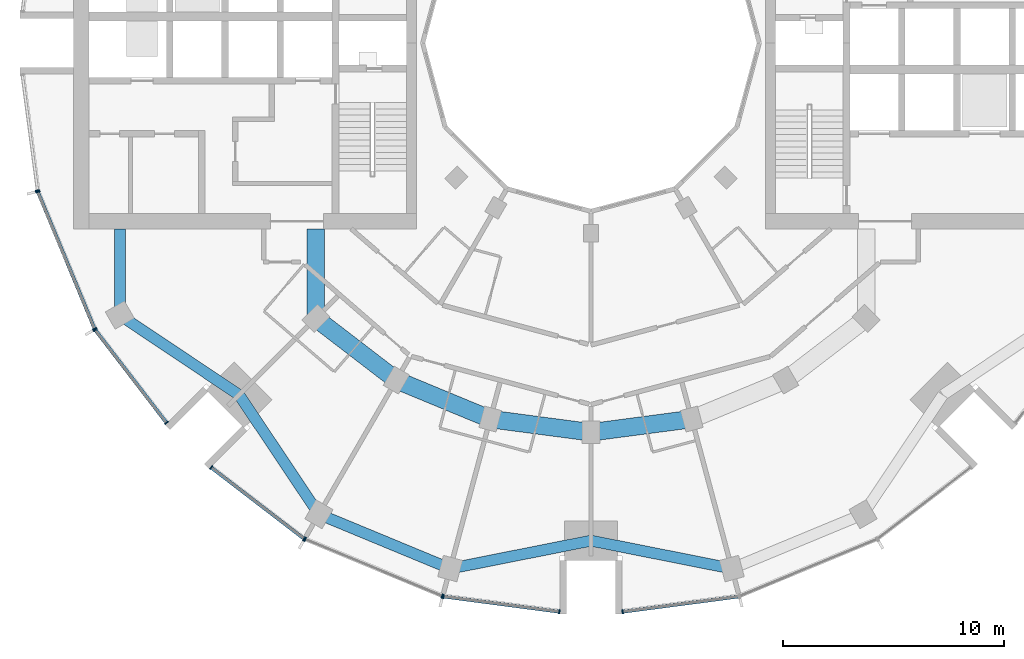
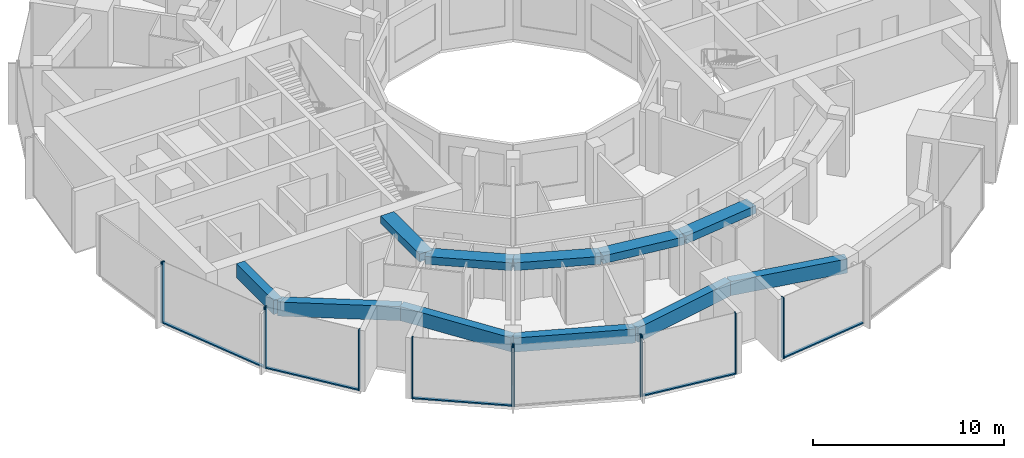
# One storey, part 2 of 15: 17 members, 11 beams, 7 elements without a shape of their own.
"""IFC4 building model written with IfcOpenShell, lengths in metres."""

from ifc_helpers import new_model, si_unit, direction, frame, origin, origin_2d, place, context, subcontext, project, spatial, rectangle, extrude, material, layer, layer_set, material_profile, profile_set, type_object, element, aggregate, save


model = new_model("IFC4")

# Units and contexts
model_context = context("Model", 3, precision=1e-05, world=origin(), true_north=direction((0.0, 1.0)))
body_context = subcontext(model_context, "Body", "Model", "MODEL_VIEW")
ifc_project = project(units=[si_unit("LENGTHUNIT", "METRE"), si_unit("AREAUNIT", "SQUARE_METRE"), si_unit("VOLUMEUNIT", "CUBIC_METRE"), si_unit("PLANEANGLEUNIT", "RADIAN"), si_unit("MASSUNIT", "GRAM", prefix="KILO")], contexts=[model_context])

# Site, building, storey
site_placement = place(None, origin())
site = spatial("IfcSite", under=ifc_project, at=site_placement, CompositionType="ELEMENT")
building_placement = place(site_placement, origin())
building = spatial("IfcBuilding", under=site, at=building_placement, Name="Torre Brocal", CompositionType="ELEMENT")
storey_placement = place(building_placement, frame((0.0, 0.0, 141.89990234375)))
storey = spatial("IfcBuildingStorey", under=building, at=storey_placement, Name="L33", CompositionType="ELEMENT", Elevation=141.89990234375)

# Curtain wall, members
ifc_material_1 = material(Name="Aluminium and glass", Category="aluminium")
ifc_layer_1 = layer(ifc_material_1, 0.199951171875)
ifc_layer_set_1 = layer_set([ifc_layer_1], Name="Aluminium and glass")
curtain_wall_type_1 = type_object("IfcCurtainWallType", Name="CW-1 CURTAIN WALL 3900 HIGH", PredefinedType="NOTDEFINED", material=ifc_layer_set_1)
curtain_wall_1_placement = place(storey_placement, origin())
curtain_wall_1 = element("IfcCurtainWall", 1, at=curtain_wall_1_placement, inside=storey, type_object=curtain_wall_type_1, Name="CW-1 RUN 14", PredefinedType="NOTDEFINED")
ifc_material_2 = material(Name="Aluminium, dark anodised", Category="aluminium")
ifc_material_profile_1 = material_profile(ifc_material_2, rectangle(XDim=0.199951171875, YDim=0.06005859375, at=origin_2d()), Name="CW-1 MULLION 60X200")
ifc_profile_set_1 = profile_set([ifc_material_profile_1], Name="Aluminium, dark anodised")
member_type_1 = type_object("IfcMemberType", Name="CW-1 MULLION 60X200", PredefinedType="MULLION", material=ifc_profile_set_1)
member_1_placement = place(storey_placement, frame((54.994873046875, 68.26904296875, 0.0), z_axis=(0.0, 0.0, 1.0), x_axis=(0.923879532525, 0.382683432333, 0.0)))
member_1 = element("IfcMember", 2, at=member_1_placement, type_object=member_type_1, Name="CW1-3 mullion 1", PredefinedType="MULLION", context=body_context, shape_type="SweptSolid", body=[
    extrude(rectangle(XDim=0.199951171875, YDim=0.06005859375, at=origin_2d()), origin(), (0.0, 0.0, 1.0), 3.900146484375),
])
member_2_placement = place(storey_placement, frame((57.559326171875, 62.078125, 0.0), z_axis=(0.0, 0.0, 1.0), x_axis=(0.923879532525, 0.382683432333, 0.0)))
member_2 = element("IfcMember", 3, at=member_2_placement, type_object=member_type_1, Name="CW1-3 mullion 2", PredefinedType="MULLION", context=body_context, shape_type="SweptSolid", body=[
    extrude(rectangle(XDim=0.199951171875, YDim=0.06005859375, at=origin_2d()), origin(), (0.0, 0.0, 1.0), 3.900146484375),
])

curtain_wall_2_placement = place(storey_placement, origin())
curtain_wall_2 = element("IfcCurtainWall", 4, at=curtain_wall_2_placement, inside=storey, type_object=curtain_wall_type_1, Name="CW-1 RUN 15", PredefinedType="NOTDEFINED")
member_3_placement = place(storey_placement, frame((57.5888671875, 62.026611328125, 0.0), z_axis=(0.0, 0.0, 1.0), x_axis=(0.793353340259, 0.60876142905, 0.0)))
member_3 = element("IfcMember", 5, at=member_3_placement, type_object=member_type_1, Name="CW1-3 mullion 1", PredefinedType="MULLION", context=body_context, shape_type="SweptSolid", body=[
    extrude(rectangle(XDim=0.199951171875, YDim=0.06005859375, at=origin_2d()), origin(), (0.0, 0.0, 1.0), 3.900146484375),
])
member_4_placement = place(storey_placement, frame((60.80859375, 57.83056640625, 0.0), z_axis=(0.0, 0.0, 1.0), x_axis=(0.793353340259, 0.60876142905, 0.0)))
member_4 = element("IfcMember", 6, at=member_4_placement, type_object=member_type_1, Name="CW1-3 mullion 2", PredefinedType="MULLION", context=body_context, shape_type="SweptSolid", body=[
    extrude(rectangle(XDim=0.199951171875, YDim=0.06005859375, at=origin_2d()), origin(), (0.0, 0.0, 1.0), 3.900146484375),
])

curtain_wall_3_placement = place(storey_placement, origin())
curtain_wall_3 = element("IfcCurtainWall", 7, at=curtain_wall_3_placement, inside=storey, type_object=curtain_wall_type_1, Name="CW-1 RUN 16", PredefinedType="NOTDEFINED")
member_5_placement = place(storey_placement, frame((62.83056640625, 55.80859375, 0.0), z_axis=(0.0, 0.0, 1.0), x_axis=(0.60876142905, 0.793353340259, 0.0)))
member_5 = element("IfcMember", 8, at=member_5_placement, type_object=member_type_1, Name="CW1-3 mullion 1", PredefinedType="MULLION", context=body_context, shape_type="SweptSolid", body=[
    extrude(rectangle(XDim=0.199951171875, YDim=0.06005859375, at=origin_2d()), origin(), (0.0, 0.0, 1.0), 3.900146484375),
])
member_6_placement = place(storey_placement, frame((67.026611328125, 52.5888671875, 0.0), z_axis=(0.0, 0.0, 1.0), x_axis=(0.60876142905, 0.793353340259, 0.0)))
member_6 = element("IfcMember", 9, at=member_6_placement, type_object=member_type_1, Name="CW1-3 mullion 2", PredefinedType="MULLION", context=body_context, shape_type="SweptSolid", body=[
    extrude(rectangle(XDim=0.199951171875, YDim=0.06005859375, at=origin_2d()), origin(), (0.0, 0.0, 1.0), 3.900146484375),
])

curtain_wall_4_placement = place(storey_placement, origin())
curtain_wall_4 = element("IfcCurtainWall", 10, at=curtain_wall_4_placement, inside=storey, type_object=curtain_wall_type_1, Name="CW-1 RUN 17", PredefinedType="NOTDEFINED")
member_7_placement = place(storey_placement, frame((67.078125, 52.559326171875, 0.0), z_axis=(0.0, 0.0, 1.0), x_axis=(0.382683432333, 0.923879532525, 0.0)))
member_7 = element("IfcMember", 11, at=member_7_placement, type_object=member_type_1, Name="CW1-3 mullion 1", PredefinedType="MULLION", context=body_context, shape_type="SweptSolid", body=[
    extrude(rectangle(XDim=0.199951171875, YDim=0.06005859375, at=origin_2d()), origin(), (0.0, 0.0, 1.0), 3.900146484375),
])
member_8_placement = place(storey_placement, frame((73.26904296875, 49.994873046875, 0.0), z_axis=(0.0, 0.0, 1.0), x_axis=(0.382683432333, 0.923879532525, 0.0)))
member_8 = element("IfcMember", 12, at=member_8_placement, type_object=member_type_1, Name="CW1-3 mullion 2", PredefinedType="MULLION", context=body_context, shape_type="SweptSolid", body=[
    extrude(rectangle(XDim=0.199951171875, YDim=0.06005859375, at=origin_2d()), origin(), (0.0, 0.0, 1.0), 3.900146484375),
])
aggregate(curtain_wall_4, [member_7, member_8])

curtain_wall_5_placement = place(storey_placement, origin())
curtain_wall_5 = element("IfcCurtainWall", 13, at=curtain_wall_5_placement, inside=storey, type_object=curtain_wall_type_1, Name="CW-1 RUN 18", PredefinedType="NOTDEFINED")
member_9_placement = place(storey_placement, frame((73.32666015625, 49.9794921875, 0.0), z_axis=(0.0, 0.0, 1.0), x_axis=(0.13052619222, 0.991444861374, 0.0)))
member_9 = element("IfcMember", 14, at=member_9_placement, type_object=member_type_1, Name="CW1-3 mullion 1", PredefinedType="MULLION", context=body_context, shape_type="SweptSolid", body=[
    extrude(rectangle(XDim=0.199951171875, YDim=0.06005859375, at=origin_2d()), origin(), (0.0, 0.0, 1.0), 3.900146484375),
])
member_10_placement = place(storey_placement, frame((78.5703125, 49.2890625, 0.0), z_axis=(0.0, 0.0, 1.0), x_axis=(0.13052619222, 0.991444861374, 0.0)))
member_10 = element("IfcMember", 15, at=member_10_placement, type_object=member_type_1, Name="CW1-3 mullion 2", PredefinedType="MULLION", context=body_context, shape_type="SweptSolid", body=[
    extrude(rectangle(XDim=0.199951171875, YDim=0.06005859375, at=origin_2d()), origin(), (0.0, 0.0, 1.0), 3.900146484375),
])

# Curtain wall, member
curtain_wall_6_placement = place(storey_placement, origin())
curtain_wall_6 = element("IfcCurtainWall", 16, at=curtain_wall_6_placement, inside=storey, type_object=curtain_wall_type_1, Name="CW-1 RUN 19", PredefinedType="NOTDEFINED")
member_11_placement = place(storey_placement, frame((81.4296875, 49.2890625, 0.0), z_axis=(0.0, 0.0, 1.0), x_axis=(-0.13052619222, 0.991444861374, 0.0)))
member_11 = element("IfcMember", 17, at=member_11_placement, type_object=member_type_1, Name="CW1-3 mullion 1", PredefinedType="MULLION", context=body_context, shape_type="SweptSolid", body=[
    extrude(rectangle(XDim=0.199951171875, YDim=0.06005859375, at=origin_2d()), origin(), (0.0, 0.0, 1.0), 3.900146484375),
])

# Member
ifc_material_3 = material(Name="Aluminium, dark anodised", Category="aluminium")
ifc_material_profile_2 = material_profile(ifc_material_3, rectangle(XDim=0.159912109375, YDim=0.080078125, at=origin_2d()), Name="CW-1 TRANSOM 160X80")
ifc_profile_set_2 = profile_set([ifc_material_profile_2], Name="Aluminium, dark anodised")
member_type_2 = type_object("IfcMemberType", Name="CW-1 TRANSOM 160X80", PredefinedType="USERDEFINED", material=ifc_profile_set_2)
member_12_placement = place(storey_placement, frame((55.00634765625, 68.241455078125, 0.0400390625), z_axis=(0.38266457234, -0.923887344364, 0.0), x_axis=(0.923887344364, 0.38266457234, 0.0)))
member_12 = element("IfcMember", 18, at=member_12_placement, type_object=member_type_2, Name="CW1-3 transom 1.1", ObjectType="TRANSOM", PredefinedType="USERDEFINED", context=body_context, shape_type="SweptSolid", body=[
    extrude(rectangle(XDim=0.159912109375, YDim=0.080078125, at=origin_2d()), origin(), (0.0, 0.0, 1.0), 6.640869140625),
])

aggregate(curtain_wall_1, [member_1, member_2, member_12])

member_13_placement = place(storey_placement, frame((57.607177734375, 62.0029296875, 0.0400390625), z_axis=(0.60874908096, -0.79336281513, 0.0), x_axis=(0.79336281513, 0.60874908096, 0.0)))
member_13 = element("IfcMember", 19, at=member_13_placement, type_object=member_type_2, Name="CW1-3 transom 1.1", ObjectType="TRANSOM", PredefinedType="USERDEFINED", context=body_context, shape_type="SweptSolid", body=[
    extrude(rectangle(XDim=0.159912109375, YDim=0.080078125, at=origin_2d()), origin(), (0.0, 0.0, 1.0), 5.22900390625),
])

aggregate(curtain_wall_2, [member_3, member_4, member_13])

member_14_placement = place(storey_placement, frame((62.8544921875, 55.790283203125, 0.0400390625), z_axis=(0.79336281513, -0.60874908096, 0.0), x_axis=(0.60874908096, 0.79336281513, 0.0)))
member_14 = element("IfcMember", 20, at=member_14_placement, type_object=member_type_2, Name="CW1-3 transom 1.1", ObjectType="TRANSOM", PredefinedType="USERDEFINED", context=body_context, shape_type="SweptSolid", body=[
    extrude(rectangle(XDim=0.159912109375, YDim=0.080078125, at=origin_2d()), origin(), (0.0, 0.0, 1.0), 5.22900390625),
])

aggregate(curtain_wall_3, [member_5, member_6, member_14])

member_15_placement = place(storey_placement, frame((73.356201171875, 49.9755859375, 0.0400390625), z_axis=(0.991442690863, -0.130542677827, 0.0), x_axis=(0.130542677827, 0.991442690863, 0.0)))
member_15 = element("IfcMember", 21, at=member_15_placement, type_object=member_type_2, Name="CW1-3 transom 1.1", ObjectType="TRANSOM", PredefinedType="USERDEFINED", context=body_context, shape_type="SweptSolid", body=[
    extrude(rectangle(XDim=0.159912109375, YDim=0.080078125, at=origin_2d()), origin(), (0.0, 0.0, 1.0), 5.22900390625),
])

aggregate(curtain_wall_5, [member_9, member_10, member_15])

member_16_placement = place(storey_placement, frame((81.45947265625, 49.29296875, 0.0400390625), z_axis=(0.991442690863, 0.130542677827, 0.0), x_axis=(-0.130542677827, 0.991442690863, 0.0)))
member_16 = element("IfcMember", 22, at=member_16_placement, type_object=member_type_2, Name="CW1-3 transom 1.1", ObjectType="TRANSOM", PredefinedType="USERDEFINED", context=body_context, shape_type="SweptSolid", body=[
    extrude(rectangle(XDim=0.159912109375, YDim=0.080078125, at=origin_2d()), origin(), (0.0, 0.0, 1.0), 5.22900390625),
])

aggregate(curtain_wall_6, [member_11, member_16])

# Curtain wall, member
ifc_material_4 = material(Name="Aluminium and glass", Category="aluminium")
ifc_layer_2 = layer(ifc_material_4, 0.199951171875)
ifc_layer_set_2 = layer_set([ifc_layer_2], Name="Aluminium and glass")
curtain_wall_type_2 = type_object("IfcCurtainWallType", Name="CW-1B CURTAIN WALL 3900 HIGH", PredefinedType="NOTDEFINED", material=ifc_layer_set_2)
curtain_wall_7_placement = place(storey_placement, origin())
curtain_wall_7 = element("IfcCurtainWall", 23, at=curtain_wall_7_placement, inside=storey, type_object=curtain_wall_type_2, Name="CW-1B RUN 13", PredefinedType="NOTDEFINED")
ifc_material_5 = material(Name="Aluminium, dark anodised", Category="aluminium")
ifc_material_profile_3 = material_profile(ifc_material_5, rectangle(XDim=0.199951171875, YDim=0.06005859375, at=origin_2d()), Name="CW-1B MULLION 60X200")
ifc_profile_set_3 = profile_set([ifc_material_profile_3], Name="Aluminium, dark anodised")
member_type_3 = type_object("IfcMemberType", Name="CW-1B MULLION 60X200", PredefinedType="MULLION", material=ifc_profile_set_3)
member_17_placement = place(storey_placement, frame((54.9794921875, 68.32666015625, 0.0), z_axis=(0.0, 0.0, 1.0), x_axis=(0.991444861374, 0.13052619222, 0.0)))
member_17 = element("IfcMember", 24, at=member_17_placement, type_object=member_type_3, Name="CW1B-3 mullion 2", PredefinedType="MULLION", context=body_context, shape_type="SweptSolid", body=[
    extrude(rectangle(XDim=0.199951171875, YDim=0.06005859375, at=origin_2d()), origin(), (0.0, 0.0, 1.0), 3.900146484375),
])
aggregate(curtain_wall_7, [member_17])

# Beams
ifc_material_6 = material(Name="Concrete C50", Category="concrete")
ifc_material_profile_4 = material_profile(ifc_material_6, rectangle(XDim=0.800048828125, YDim=0.5, at=origin_2d()), Name="RC 800X500")
ifc_profile_set_4 = profile_set([ifc_material_profile_4], Name="Concrete C50")
beam_type_1 = type_object("IfcBeamType", Name="RC BEAM 800X500 C50 TOP 3580", PredefinedType="BEAM", material=ifc_profile_set_4)
beam_1_placement = place(storey_placement, frame((67.554931640625, 62.554931640625, 3.330078125), z_axis=(0.0, 1.0, 0.0), x_axis=(-1.0, 0.0, 0.0)))
element("IfcBeam", 25, at=beam_1_placement, inside=storey, type_object=beam_type_1, Name="Beam BT-28", PredefinedType="BEAM", context=body_context, shape_type="SweptSolid", body=[
    extrude(rectangle(XDim=0.800048828125, YDim=0.5, at=origin_2d()), origin(), (0.0, 0.0, 1.0), 4.045166015625),
])
beam_2_placement = place(storey_placement, frame((67.554931640625, 62.554931640625, 3.330078125), z_axis=(0.793358265959, -0.6087550097, 0.0), x_axis=(0.6087550097, 0.793358265959, 0.0)))
element("IfcBeam", 26, at=beam_2_placement, inside=storey, type_object=beam_type_1, Name="Beam BT-28", PredefinedType="BEAM", context=body_context, shape_type="SweptSolid", body=[
    extrude(rectangle(XDim=0.800048828125, YDim=0.5, at=origin_2d()), origin(), (0.0, 0.0, 1.0), 4.594482421875),
])
beam_3_placement = place(storey_placement, frame((71.199951171875, 59.758056640625, 3.330078125), z_axis=(0.923878240166, -0.382686552348, 0.0), x_axis=(0.382686552348, 0.923878240166, 0.0)))
element("IfcBeam", 27, at=beam_3_placement, inside=storey, type_object=beam_type_1, Name="Beam BT-28", PredefinedType="BEAM", context=body_context, shape_type="SweptSolid", body=[
    extrude(rectangle(XDim=0.800048828125, YDim=0.5, at=origin_2d()), origin(), (0.0, 0.0, 1.0), 4.5947265625),
])
for number, where, z_axis, x_axis, name in (
    (28, (75.44482421875, 57.999755859375, 3.330078125), (0.991440544449, -0.130558978332, 0.0), (0.130558978332, 0.991440544449, 0.0), "Beam BT-28"),
    (29, (80.0, 57.39990234375, 3.330078125), (0.991440544449, 0.130558978332, 0.0), (-0.130558978332, 0.991440544449, 0.0), "Beam BT-28"),
):
    element("IfcBeam", number, at=place(storey_placement, frame(where, z_axis=z_axis, x_axis=x_axis)), inside=storey, type_object=beam_type_1, Name=name, PredefinedType="BEAM", context=body_context, shape_type="SweptSolid", body=[
        extrude(rectangle(XDim=0.800048828125, YDim=0.5, at=origin_2d()), origin(), (0.0, 0.0, 1.0), 4.594482421875),
    ])
ifc_material_7 = material(Name="Concrete C50", Category="concrete")
ifc_material_profile_5 = material_profile(ifc_material_7, rectangle(XDim=0.5, YDim=0.89990234375, at=origin_2d()), Name="RC 500X900")
ifc_profile_set_5 = profile_set([ifc_material_profile_5], Name="Concrete C50")
beam_type_2 = type_object("IfcBeamType", Name="RC SPANDREL BEAM 500X900 C50 TOP 3580", PredefinedType="SPANDREL", material=ifc_profile_set_5)
beam_4_placement = place(storey_placement, frame((58.69580078125, 62.699951171875, 3.130126953125), z_axis=(0.0, 1.0, 0.0), x_axis=(-1.0, 0.0, 0.0)))
element("IfcBeam", 30, at=beam_4_placement, inside=storey, type_object=beam_type_2, Name="Beam BT-29", PredefinedType="SPANDREL", context=body_context, shape_type="SweptSolid", body=[
    extrude(rectangle(XDim=0.5, YDim=0.89990234375, at=origin_2d()), origin(), (0.0, 0.0, 1.0), 3.900146484375),
])
for number, where, z_axis, x_axis, name in (
    (31, (58.69580078125, 62.699951171875, 3.130126953125), (0.831076844476, -0.556157602282, 0.0), (0.556157602282, 0.831076844476, 0.0), "Beam BT-29"),
    (32, (64.090087890625, 59.090087890625, 3.130126953125), (0.556157602282, -0.831076844476, 0.0), (0.831076844476, 0.556157602282, 0.0), "Beam BT-29"),
):
    element("IfcBeam", number, at=place(storey_placement, frame(where, z_axis=z_axis, x_axis=x_axis)), inside=storey, type_object=beam_type_2, Name=name, PredefinedType="SPANDREL", context=body_context, shape_type="SweptSolid", body=[
        extrude(rectangle(XDim=0.5, YDim=0.89990234375, at=origin_2d()), origin(), (0.0, 0.0, 1.0), 6.49072265625),
    ])
beam_5_placement = place(storey_placement, frame((67.699951171875, 53.69580078125, 3.130126953125), z_axis=(0.923882462513, -0.382676358639, 0.0), x_axis=(0.382676358639, 0.923882462513, 0.0)))
element("IfcBeam", 33, at=beam_5_placement, inside=storey, type_object=beam_type_2, Name="Beam BT-29", PredefinedType="SPANDREL", context=body_context, shape_type="SweptSolid", body=[
    extrude(rectangle(XDim=0.5, YDim=0.89990234375, at=origin_2d()), origin(), (0.0, 0.0, 1.0), 6.421875),
])
for number, where, z_axis, x_axis, name in (
    (34, (73.633056640625, 51.23828125, 3.130126953125), (0.980924907484, 0.194387051723, 0.0), (-0.194387051723, 0.980924907484, 0.0), "Beam BT-29"),
    (35, (80.0, 52.5, 3.130126953125), (0.980924907484, -0.194387051723, 0.0), (0.194387051723, 0.980924907484, 0.0), "Beam BT-29"),
):
    element("IfcBeam", number, at=place(storey_placement, frame(where, z_axis=z_axis, x_axis=x_axis)), inside=storey, type_object=beam_type_2, Name=name, PredefinedType="SPANDREL", context=body_context, shape_type="SweptSolid", body=[
        extrude(rectangle(XDim=0.5, YDim=0.89990234375, at=origin_2d()), origin(), (0.0, 0.0, 1.0), 6.49072265625),
    ])

save(model, "model.ifc")
